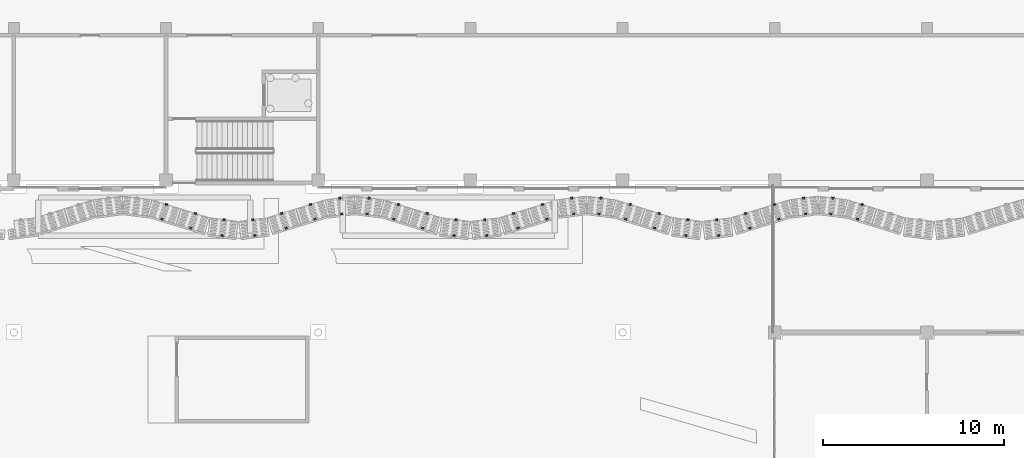
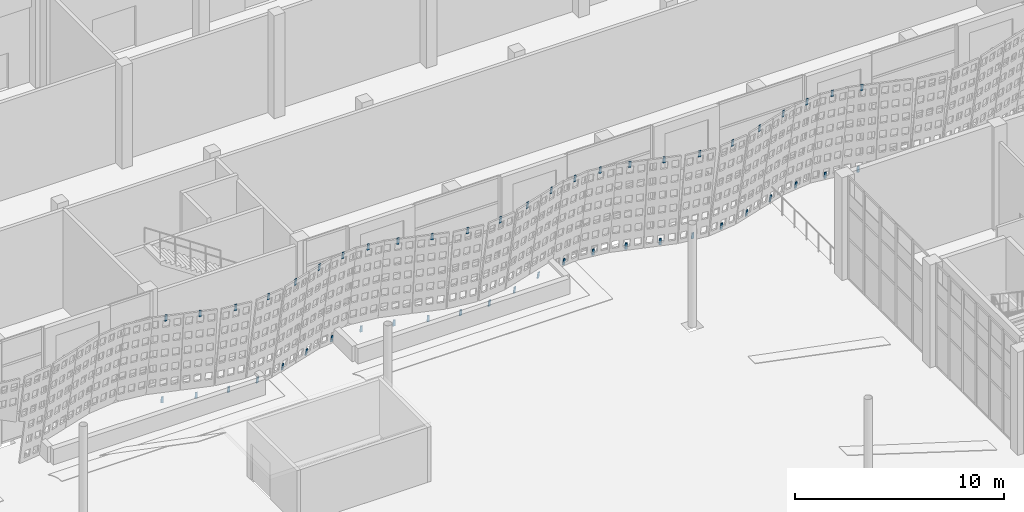
# One storey, part 142 of 210: 50 discrete accessories.
"""IFC4 building model written with IfcOpenShell, lengths in metres."""

from ifc_helpers import new_model, si_unit, direction, frame, origin, origin_2d, place, context, subcontext, project, spatial, rectangle, extrude, material, material_profile, profile_set, type_object, element, save


model = new_model("IFC4")

# Units and contexts
model_context = context("Model", 3, precision=1e-05, world=origin(), true_north=direction((0.0, 1.0)))
body_context = subcontext(model_context, "Body", "Model", "MODEL_VIEW")
ifc_project = project(units=[si_unit("LENGTHUNIT", "METRE"), si_unit("AREAUNIT", "SQUARE_METRE"), si_unit("VOLUMEUNIT", "CUBIC_METRE"), si_unit("PLANEANGLEUNIT", "RADIAN"), si_unit("MASSUNIT", "GRAM", prefix="KILO")], contexts=[model_context])

# Site, building, storey
site_placement = place(None, origin())
site = spatial("IfcSite", under=ifc_project, at=site_placement, CompositionType="ELEMENT")
building_placement = place(site_placement, origin())
building = spatial("IfcBuilding", under=site, at=building_placement, Name="Rain Tree Exposition and Congress Centre", CompositionType="ELEMENT")
storey_placement = place(building_placement, origin())
storey = spatial("IfcBuildingStorey", under=building, at=storey_placement, Name="L00", CompositionType="ELEMENT", Elevation=0.0)

# Discrete accessories
ifc_material = material(Name="Steel S355J2", Category="steel")
ifc_material_profile = material_profile(ifc_material, rectangle(XDim=0.1201171875, YDim=0.050048828125, at=origin_2d()), Name="Flat bar 120x50")
ifc_profile_set = profile_set([ifc_material_profile], Name="Steel S355J2")
discrete_accessory_type = type_object("IfcDiscreteAccessoryType", Name="Screen bracket 120x50", PredefinedType="BRACKET", material=ifc_profile_set)
for number, where, z_axis, x_axis, name in (
    (1, (117.381103515625, 73.489990234375, 5.35107421875), (-0.045787195948, -0.148961010819, 0.987782440593), (0.955863671221, -0.293810554678, 0.0), "concourse/bracket/L00/0741t"),
    (2, (117.630615234375, 74.29638671875, 0.00390625), (-0.045787195948, -0.148961010819, 0.987782440593), (0.955863671221, -0.293810554678, 0.0), "concourse/bracket/L00/0741b"),
    (3, (118.977783203125, 72.99609375, 5.35107421875), (-0.045783024094, -0.149557878708, 0.987692439791), (0.956199955507, -0.292714272094, 0.0), "concourse/bracket/L00/0751t"),
    (4, (119.227294921875, 73.802490234375, 0.00390625), (-0.045787195948, -0.148961010819, 0.987782440593), (0.955863671221, -0.293810554678, 0.0), "concourse/bracket/L00/0751b"),
):
    element("IfcDiscreteAccessory", number, at=place(storey_placement, frame(where, z_axis=z_axis, x_axis=x_axis)), inside=storey, type_object=discrete_accessory_type, Name=name, PredefinedType="BRACKET", context=body_context, shape_type="SweptSolid", body=[
        extrude(rectangle(XDim=0.1201171875, YDim=0.050048828125, at=origin_2d()), origin(), (0.0, 0.0, 1.0), 0.39990234375),
    ])
for number, where, z_axis, x_axis, name in (
    (5, (120.7001953125, 72.586181640625, 5.351318359375), (-0.020749404626, -0.160502747552, 0.986817272972), (0.991746960377, -0.128210633661, 0.0), "concourse/bracket/L00/0761t"),
    (6, (120.8115234375, 73.45556640625, 0.00390625), (-0.020749404626, -0.160502747552, 0.986817272972), (0.991746960377, -0.128210633661, 0.0), "concourse/bracket/L00/0761b"),
    (7, (122.5, 72.586181640625, 5.351318359375), (0.020139379294, -0.160504750127, 0.986829585384), (0.992219726556, 0.124499053142, 0.0), "concourse/bracket/L00/0771t"),
    (8, (122.388427734375, 73.45556640625, 0.00390625), (0.020749404626, -0.160502747552, 0.986817272972), (0.991746960377, 0.128210633661, 0.0), "concourse/bracket/L00/0771b"),
):
    element("IfcDiscreteAccessory", number, at=place(storey_placement, frame(where, z_axis=z_axis, x_axis=x_axis)), inside=storey, type_object=discrete_accessory_type, Name=name, PredefinedType="BRACKET", context=body_context, shape_type="SweptSolid", body=[
        extrude(rectangle(XDim=0.1201171875, YDim=0.050048828125, at=origin_2d()), origin(), (0.0, 0.0, 1.0), 0.400146484375),
    ])
for number, where, z_axis, x_axis, name in (
    (9, (124.22216796875, 72.99609375, 5.35107421875), (0.045783024094, -0.149557878708, 0.987692439791), (0.956199955507, 0.292714272094, 0.0), "concourse/bracket/L00/0781t"),
    (10, (123.97265625, 73.802490234375, 0.00390625), (0.046396386353, -0.148956819344, 0.987754646309), (0.954758063246, 0.297383659044, 0.0), "concourse/bracket/L00/0781b"),
    (11, (125.81884765625, 73.489990234375, 5.35107421875), (0.046396386353, -0.148956819344, 0.987754646309), (0.954758063246, 0.297383659044, 0.0), "concourse/bracket/L00/0791t"),
    (12, (125.5693359375, 74.29638671875, 0.00390625), (0.046396386353, -0.148956819344, 0.987754646309), (0.954758063246, 0.297383659044, 0.0), "concourse/bracket/L00/0791b"),
):
    element("IfcDiscreteAccessory", number, at=place(storey_placement, frame(where, z_axis=z_axis, x_axis=x_axis)), inside=storey, type_object=discrete_accessory_type, Name=name, PredefinedType="BRACKET", context=body_context, shape_type="SweptSolid", body=[
        extrude(rectangle(XDim=0.1201171875, YDim=0.050048828125, at=origin_2d()), origin(), (0.0, 0.0, 1.0), 0.39990234375),
    ])
for number, where, z_axis, x_axis, name in (
    (13, (127.298095703125, 73.781005859375, 5.351318359375), (0.020749404626, -0.160502747552, 0.986817272972), (0.991746960377, 0.128210633661, 0.0), "concourse/bracket/L00/0801t"),
    (14, (127.186767578125, 74.650390625, 0.00390625), (0.020749404626, -0.160502747552, 0.986817272972), (0.991746960377, 0.128210633661, 0.0), "concourse/bracket/L00/0801b"),
    (15, (128.701904296875, 73.781005859375, 5.351318359375), (-0.020749404626, -0.160502747552, 0.986817272972), (0.991746960377, -0.128210633661, 0.0), "concourse/bracket/L00/0811t"),
    (16, (128.813232421875, 74.650390625, 0.00390625), (-0.020749404626, -0.160502747552, 0.986817272972), (0.991746960377, -0.128210633661, 0.0), "concourse/bracket/L00/0811b"),
):
    element("IfcDiscreteAccessory", number, at=place(storey_placement, frame(where, z_axis=z_axis, x_axis=x_axis)), inside=storey, type_object=discrete_accessory_type, Name=name, PredefinedType="BRACKET", context=body_context, shape_type="SweptSolid", body=[
        extrude(rectangle(XDim=0.1201171875, YDim=0.050048828125, at=origin_2d()), origin(), (0.0, 0.0, 1.0), 0.400146484375),
    ])
for number, where, z_axis, x_axis, name in (
    (17, (130.18115234375, 73.489990234375, 5.35107421875), (-0.046396386353, -0.148956819344, 0.987754646309), (0.954758063246, -0.297383659044, 0.0), "concourse/bracket/L00/0821t"),
    (18, (130.4306640625, 74.29638671875, 0.00390625), (-0.046396386353, -0.148956819344, 0.987754646309), (0.954758063246, -0.297383659044, 0.0), "concourse/bracket/L00/0821b"),
    (19, (131.77783203125, 72.99609375, 5.35107421875), (-0.045783024094, -0.149557878708, 0.987692439791), (0.956199955507, -0.292714272094, 0.0), "concourse/bracket/L00/0831t"),
    (20, (132.02734375, 73.802490234375, 0.00390625), (-0.046396386353, -0.148956819344, 0.987754646309), (0.954758063246, -0.297383659044, 0.0), "concourse/bracket/L00/0831b"),
):
    element("IfcDiscreteAccessory", number, at=place(storey_placement, frame(where, z_axis=z_axis, x_axis=x_axis)), inside=storey, type_object=discrete_accessory_type, Name=name, PredefinedType="BRACKET", context=body_context, shape_type="SweptSolid", body=[
        extrude(rectangle(XDim=0.1201171875, YDim=0.050048828125, at=origin_2d()), origin(), (0.0, 0.0, 1.0), 0.39990234375),
    ])
for number, where, z_axis, x_axis, name in (
    (21, (133.5, 72.586181640625, 5.351318359375), (-0.020139379294, -0.160504750127, 0.986829585384), (0.992219726556, -0.124499053142, 0.0), "concourse/bracket/L00/0841t"),
    (22, (133.611572265625, 73.45556640625, 0.00390625), (-0.020749404626, -0.160502747552, 0.986817272972), (0.991746960377, -0.128210633661, 0.0), "concourse/bracket/L00/0841b"),
    (23, (135.2998046875, 72.586181640625, 5.351318359375), (0.020749404626, -0.160502747552, 0.986817272972), (0.991746960377, 0.128210633661, 0.0), "concourse/bracket/L00/0851t"),
    (24, (135.1884765625, 73.45556640625, 0.00390625), (0.020749404626, -0.160502747552, 0.986817272972), (0.991746960377, 0.128210633661, 0.0), "concourse/bracket/L00/0851b"),
):
    element("IfcDiscreteAccessory", number, at=place(storey_placement, frame(where, z_axis=z_axis, x_axis=x_axis)), inside=storey, type_object=discrete_accessory_type, Name=name, PredefinedType="BRACKET", context=body_context, shape_type="SweptSolid", body=[
        extrude(rectangle(XDim=0.1201171875, YDim=0.050048828125, at=origin_2d()), origin(), (0.0, 0.0, 1.0), 0.400146484375),
    ])
for number, where, z_axis, x_axis, name in (
    (25, (137.022216796875, 72.99609375, 5.35107421875), (0.045783024094, -0.149557878708, 0.987692439791), (0.956199955507, 0.292714272094, 0.0), "concourse/bracket/L00/0861t"),
    (26, (136.772705078125, 73.802490234375, 0.00390625), (0.045787195948, -0.148961010819, 0.987782440593), (0.955863671221, 0.293810554678, 0.0), "concourse/bracket/L00/0861b"),
    (27, (138.618896484375, 73.489990234375, 5.35107421875), (0.045787195948, -0.148961010819, 0.987782440593), (0.955863671221, 0.293810554678, 0.0), "concourse/bracket/L00/0871t"),
    (28, (138.369384765625, 74.29638671875, 0.00390625), (0.045787195948, -0.148961010819, 0.987782440593), (0.955863671221, 0.293810554678, 0.0), "concourse/bracket/L00/0871b"),
):
    element("IfcDiscreteAccessory", number, at=place(storey_placement, frame(where, z_axis=z_axis, x_axis=x_axis)), inside=storey, type_object=discrete_accessory_type, Name=name, PredefinedType="BRACKET", context=body_context, shape_type="SweptSolid", body=[
        extrude(rectangle(XDim=0.1201171875, YDim=0.050048828125, at=origin_2d()), origin(), (0.0, 0.0, 1.0), 0.39990234375),
    ])
for number, where, z_axis, x_axis, name in (
    (29, (140.09814453125, 73.781005859375, 5.351318359375), (0.020749404626, -0.160502747552, 0.986817272972), (0.991746960377, 0.128210633661, 0.0), "concourse/bracket/L00/0881t"),
    (30, (139.98681640625, 74.650390625, 0.00390625), (0.020749404626, -0.160502747552, 0.986817272972), (0.991746960377, 0.128210633661, 0.0), "concourse/bracket/L00/0881b"),
    (31, (141.501708984375, 73.781005859375, 5.351318359375), (-0.020139379294, -0.160504750127, 0.986829585384), (0.992219726556, -0.124499053142, 0.0), "concourse/bracket/L00/0891t"),
    (32, (141.61328125, 74.650390625, 0.00390625), (-0.020749404626, -0.160502747552, 0.986817272972), (0.991746960377, -0.128210633661, 0.0), "concourse/bracket/L00/0891b"),
):
    element("IfcDiscreteAccessory", number, at=place(storey_placement, frame(where, z_axis=z_axis, x_axis=x_axis)), inside=storey, type_object=discrete_accessory_type, Name=name, PredefinedType="BRACKET", context=body_context, shape_type="SweptSolid", body=[
        extrude(rectangle(XDim=0.1201171875, YDim=0.050048828125, at=origin_2d()), origin(), (0.0, 0.0, 1.0), 0.400146484375),
    ])
for number, where, z_axis, x_axis, name in (
    (33, (142.981201171875, 73.489990234375, 5.35107421875), (-0.046396386353, -0.148956819344, 0.987754646309), (0.954758063246, -0.297383659044, 0.0), "concourse/bracket/L00/0901t"),
    (34, (143.230712890625, 74.29638671875, 0.00390625), (-0.046396386353, -0.148956819344, 0.987754646309), (0.954758063246, -0.297383659044, 0.0), "concourse/bracket/L00/0901b"),
    (35, (144.577880859375, 72.99609375, 5.35107421875), (-0.046392159231, -0.149553671205, 0.987664653104), (0.955102182504, -0.296276595389, 0.0), "concourse/bracket/L00/0911t"),
    (36, (144.827392578125, 73.802490234375, 0.00390625), (-0.046396386353, -0.148956819344, 0.987754646309), (0.954758063246, -0.297383659044, 0.0), "concourse/bracket/L00/0911b"),
):
    element("IfcDiscreteAccessory", number, at=place(storey_placement, frame(where, z_axis=z_axis, x_axis=x_axis)), inside=storey, type_object=discrete_accessory_type, Name=name, PredefinedType="BRACKET", context=body_context, shape_type="SweptSolid", body=[
        extrude(rectangle(XDim=0.1201171875, YDim=0.050048828125, at=origin_2d()), origin(), (0.0, 0.0, 1.0), 0.39990234375),
    ])
for number, where, z_axis, x_axis, name in (
    (37, (146.300048828125, 72.586181640625, 5.351318359375), (-0.020139379294, -0.160504750127, 0.986829585384), (0.992219726556, -0.124499053142, 0.0), "concourse/bracket/L00/0921t"),
    (38, (146.41162109375, 73.45556640625, 0.00390625), (-0.020749404626, -0.160502747552, 0.986817272972), (0.991746960377, -0.128210633661, 0.0), "concourse/bracket/L00/0921b"),
    (39, (148.099853515625, 72.586181640625, 5.351318359375), (0.020749404626, -0.160502747552, 0.986817272972), (0.991746960377, 0.128210633661, 0.0), "concourse/bracket/L00/0931t"),
    (40, (147.988525390625, 73.45556640625, 0.00390625), (0.020139379294, -0.160504750127, 0.986829585384), (0.992219726556, 0.124499053142, 0.0), "concourse/bracket/L00/0931b"),
):
    element("IfcDiscreteAccessory", number, at=place(storey_placement, frame(where, z_axis=z_axis, x_axis=x_axis)), inside=storey, type_object=discrete_accessory_type, Name=name, PredefinedType="BRACKET", context=body_context, shape_type="SweptSolid", body=[
        extrude(rectangle(XDim=0.1201171875, YDim=0.050048828125, at=origin_2d()), origin(), (0.0, 0.0, 1.0), 0.400146484375),
    ])
for number, where, z_axis, x_axis, name in (
    (41, (149.822265625, 72.99609375, 5.35107421875), (0.045783024094, -0.149557878708, 0.987692439791), (0.956199955507, 0.292714272094, 0.0), "concourse/bracket/L00/0941t"),
    (42, (149.57275390625, 73.802490234375, 0.00390625), (0.045787195948, -0.148961010819, 0.987782440593), (0.955863671221, 0.293810554678, 0.0), "concourse/bracket/L00/0941b"),
    (43, (151.4189453125, 73.489990234375, 5.35107421875), (0.045787195948, -0.148961010819, 0.987782440593), (0.955863671221, 0.293810554678, 0.0), "concourse/bracket/L00/0951t"),
    (44, (151.16943359375, 74.29638671875, 0.00390625), (0.045787195948, -0.148961010819, 0.987782440593), (0.955863671221, 0.293810554678, 0.0), "concourse/bracket/L00/0951b"),
):
    element("IfcDiscreteAccessory", number, at=place(storey_placement, frame(where, z_axis=z_axis, x_axis=x_axis)), inside=storey, type_object=discrete_accessory_type, Name=name, PredefinedType="BRACKET", context=body_context, shape_type="SweptSolid", body=[
        extrude(rectangle(XDim=0.1201171875, YDim=0.050048828125, at=origin_2d()), origin(), (0.0, 0.0, 1.0), 0.39990234375),
    ])
for number, where, z_axis, x_axis, name in (
    (45, (152.898193359375, 73.781005859375, 5.351318359375), (0.020749404626, -0.160502747552, 0.986817272972), (0.991746960377, 0.128210633661, 0.0), "concourse/bracket/L00/0961t"),
    (46, (152.786865234375, 74.650390625, 0.00390625), (0.020139379294, -0.160504750127, 0.986829585384), (0.992219726556, 0.124499053142, 0.0), "concourse/bracket/L00/0961b"),
    (47, (154.3017578125, 73.781005859375, 5.351318359375), (-0.020139379294, -0.160504750127, 0.986829585384), (0.992219726556, -0.124499053142, 0.0), "concourse/bracket/L00/0971t"),
    (48, (154.4130859375, 74.650390625, 0.00390625), (-0.020139379294, -0.160504750127, 0.986829585384), (0.992219726556, -0.124499053142, 0.0), "concourse/bracket/L00/0971b"),
):
    element("IfcDiscreteAccessory", number, at=place(storey_placement, frame(where, z_axis=z_axis, x_axis=x_axis)), inside=storey, type_object=discrete_accessory_type, Name=name, PredefinedType="BRACKET", context=body_context, shape_type="SweptSolid", body=[
        extrude(rectangle(XDim=0.1201171875, YDim=0.050048828125, at=origin_2d()), origin(), (0.0, 0.0, 1.0), 0.400146484375),
    ])
for number, where, z_axis, x_axis, name in (
    (49, (155.781005859375, 73.489990234375, 5.35107421875), (-0.045787195948, -0.148961010819, 0.987782440593), (0.955863671221, -0.293810554678, 0.0), "concourse/bracket/L00/0981t"),
    (50, (156.030517578125, 74.29638671875, 0.00390625), (-0.045787195948, -0.148961010819, 0.987782440593), (0.955863671221, -0.293810554678, 0.0), "concourse/bracket/L00/0981b"),
):
    element("IfcDiscreteAccessory", number, at=place(storey_placement, frame(where, z_axis=z_axis, x_axis=x_axis)), inside=storey, type_object=discrete_accessory_type, Name=name, PredefinedType="BRACKET", context=body_context, shape_type="SweptSolid", body=[
        extrude(rectangle(XDim=0.1201171875, YDim=0.050048828125, at=origin_2d()), origin(), (0.0, 0.0, 1.0), 0.39990234375),
    ])

save(model, "model.ifc")
